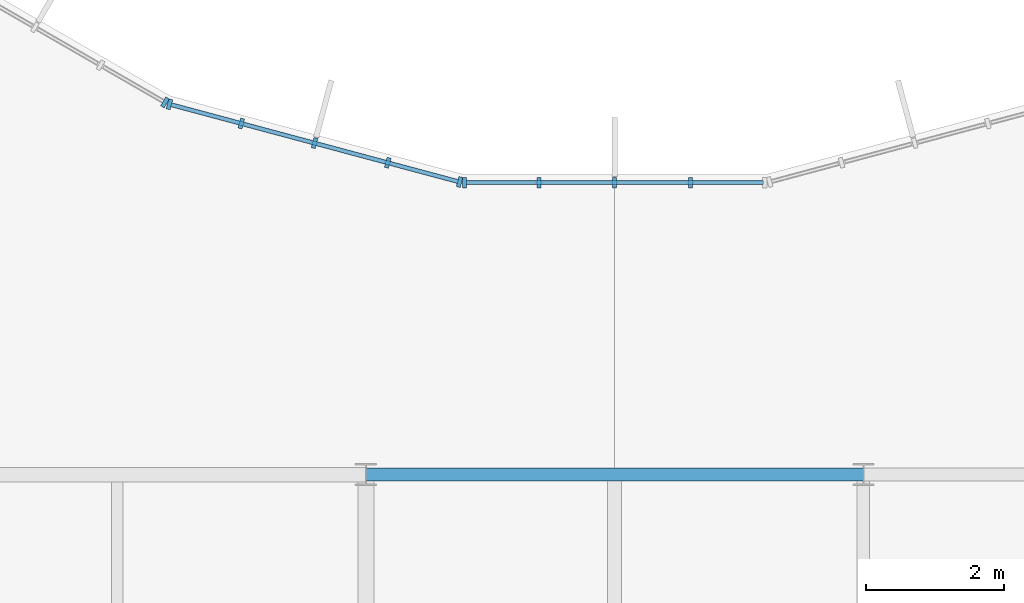
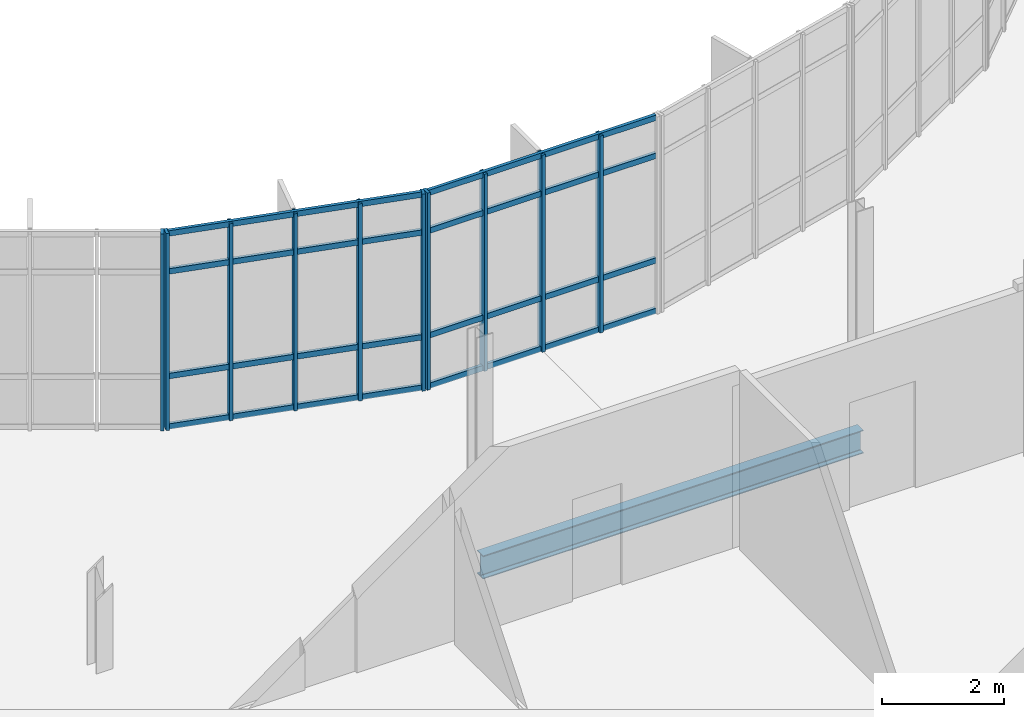
# One storey, part 35 of 99: 18 members, 1 beam, 3 elements without a shape of their own.
"""IFC4 building model written with IfcOpenShell, lengths in metres."""

from ifc_helpers import new_model, si_unit, direction, frame, origin, origin_2d, place, context, subcontext, project, spatial, rectangle, i_section, extrude, material, material_profile, profile_set, type_object, element, aggregate, save


model = new_model("IFC4")

# Units and contexts
model_context = context("Model", 3, precision=1e-05, world=origin(), true_north=direction((0.0, 1.0)))
body_context = subcontext(model_context, "Body", "Model", "MODEL_VIEW")
ifc_project = project(units=[si_unit("LENGTHUNIT", "METRE"), si_unit("AREAUNIT", "SQUARE_METRE"), si_unit("VOLUMEUNIT", "CUBIC_METRE"), si_unit("PLANEANGLEUNIT", "RADIAN"), si_unit("MASSUNIT", "GRAM", prefix="KILO")], contexts=[model_context])

# Site, building, storey
site_placement = place(None, origin())
site = spatial("IfcSite", under=ifc_project, at=site_placement, CompositionType="ELEMENT")
building_placement = place(site_placement, origin())
building = spatial("IfcBuilding", under=site, at=building_placement, Name="Qelthora Terrace Specialist Clinic", CompositionType="ELEMENT")
storey_placement = place(building_placement, frame((0.0, 0.0, 9.0)))
storey = spatial("IfcBuildingStorey", under=building, at=storey_placement, Name="L02", CompositionType="ELEMENT", Elevation=9.0)

# Beam
ifc_material_1 = material(Name="Steel S355", Category="steel")
ifc_material_profile_1 = material_profile(ifc_material_1, i_section(OverallWidth=0.193115234375, OverallDepth=0.466064453125, WebThickness=0.011474609375, FlangeThickness=0.01904296875, FilletRadius=0.012939453125, at=origin_2d()), Name="W460X97")
ifc_profile_set_1 = profile_set([ifc_material_profile_1], Name="Steel S355")
beam_type = type_object("IfcBeamType", Name="BM-W460X97", PredefinedType="BEAM", material=ifc_profile_set_1)
beam_placement = place(storey_placement, frame((122.39990234375, 42.0, -0.48291015625), z_axis=(1.0, 0.0, 0.0), x_axis=(0.0, 1.0, 0.0)))
element("IfcBeam", 1, at=beam_placement, inside=storey, type_object=beam_type, Name="Girder BMX-L02-0623", PredefinedType="BEAM", context=body_context, shape_type="SweptSolid", body=[
    extrude(i_section(OverallWidth=0.193115234375, OverallDepth=0.466064453125, WebThickness=0.011474609375, FlangeThickness=0.01904296875, FilletRadius=0.012939453125, at=origin_2d()), origin(), (0.0, 0.0, 1.0), 7.2001953125),
])

# Curtain wall, member
ifc_material_2 = material(Name="Aluminium anodized bronze", Category="aluminium")
curtain_wall_type = type_object("IfcCurtainWallType", Name="CW-CRTE-UPP", PredefinedType="NOTDEFINED", material=ifc_material_2)
curtain_wall_1_placement = place(storey_placement, origin())
curtain_wall_1 = element("IfcCurtainWall", 2, at=curtain_wall_1_placement, inside=storey, type_object=curtain_wall_type, Name="Curtain wall CW-CE-L02-16", PredefinedType="NOTDEFINED")
ifc_material_profile_2 = material_profile(ifc_material_2, rectangle(XDim=0.06005859375, YDim=0.14990234375, at=origin_2d()), Name="CWM60X150")
ifc_profile_set_2 = profile_set([ifc_material_profile_2], Name="Aluminium anodized bronze")
member_type_1 = type_object("IfcMemberType", Name="CWM-60X150", PredefinedType="MULLION", material=ifc_profile_set_2)
member_1_placement = place(storey_placement, frame((119.49365234375, 47.385009765625, 0.0), z_axis=(0.0, 0.0, 1.0), x_axis=(0.86602538709, -0.500000028915, 0.0)))
member_1 = element("IfcMember", 3, at=member_1_placement, type_object=member_type_1, Name="CW-CE-L02-16 mullion 5", PredefinedType="MULLION", context=body_context, shape_type="SweptSolid", body=[
    extrude(rectangle(XDim=0.06005859375, YDim=0.14990234375, at=origin_2d()), origin(), (0.0, 0.0, 1.0), 3.945068359375),
])
aggregate(curtain_wall_1, [member_1])

# Curtain wall, members
curtain_wall_2_placement = place(storey_placement, origin())
curtain_wall_2 = element("IfcCurtainWall", 4, at=curtain_wall_2_placement, inside=storey, type_object=curtain_wall_type, Name="Curtain wall CW-CE-L02-17", PredefinedType="NOTDEFINED")
member_2_placement = place(storey_placement, frame((119.55908203125, 47.357666015625, 0.0), z_axis=(0.0, 0.0, 1.0), x_axis=(0.965925660235, -0.258819664824, 0.0)))
member_2 = element("IfcMember", 5, at=member_2_placement, type_object=member_type_1, Name="CW-CE-L02-17 mullion 1", PredefinedType="MULLION", context=body_context, shape_type="SweptSolid", body=[
    extrude(rectangle(XDim=0.06005859375, YDim=0.14990234375, at=origin_2d()), origin(), (0.0, 0.0, 1.0), 3.945068359375),
])
member_3_placement = place(storey_placement, frame((120.598876953125, 47.0791015625, 0.0), z_axis=(0.0, 0.0, 1.0), x_axis=(0.965925660235, -0.258819664824, 0.0)))
member_3 = element("IfcMember", 6, at=member_3_placement, type_object=member_type_1, Name="CW-CE-L02-17 mullion 2", PredefinedType="MULLION", context=body_context, shape_type="SweptSolid", body=[
    extrude(rectangle(XDim=0.06005859375, YDim=0.14990234375, at=origin_2d()), origin(), (0.0, 0.0, 1.0), 3.945068359375),
])
member_4_placement = place(storey_placement, frame((121.657958984375, 46.79541015625, 0.0), z_axis=(0.0, 0.0, 1.0), x_axis=(0.965925660235, -0.258819664824, 0.0)))
member_4 = element("IfcMember", 7, at=member_4_placement, type_object=member_type_1, Name="CW-CE-L02-17 mullion 3", PredefinedType="MULLION", context=body_context, shape_type="SweptSolid", body=[
    extrude(rectangle(XDim=0.06005859375, YDim=0.14990234375, at=origin_2d()), origin(), (0.0, 0.0, 1.0), 3.945068359375),
])
member_5_placement = place(storey_placement, frame((122.717041015625, 46.511474609375, 0.0), z_axis=(0.0, 0.0, 1.0), x_axis=(0.965925660235, -0.258819664824, 0.0)))
member_5 = element("IfcMember", 8, at=member_5_placement, type_object=member_type_1, Name="CW-CE-L02-17 mullion 4", PredefinedType="MULLION", context=body_context, shape_type="SweptSolid", body=[
    extrude(rectangle(XDim=0.06005859375, YDim=0.14990234375, at=origin_2d()), origin(), (0.0, 0.0, 1.0), 3.945068359375),
])
member_6_placement = place(storey_placement, frame((123.7568359375, 46.23291015625, 0.0), z_axis=(0.0, 0.0, 1.0), x_axis=(0.965925660235, -0.258819664824, 0.0)))
member_6 = element("IfcMember", 9, at=member_6_placement, type_object=member_type_1, Name="CW-CE-L02-17 mullion 5", PredefinedType="MULLION", context=body_context, shape_type="SweptSolid", body=[
    extrude(rectangle(XDim=0.06005859375, YDim=0.14990234375, at=origin_2d()), origin(), (0.0, 0.0, 1.0), 3.945068359375),
])

curtain_wall_3_placement = place(storey_placement, origin())
curtain_wall_3 = element("IfcCurtainWall", 10, at=curtain_wall_3_placement, inside=storey, type_object=curtain_wall_type, Name="Curtain wall CW-CE-L02-18", PredefinedType="NOTDEFINED")
member_7_placement = place(storey_placement, frame((123.8271484375, 46.2236328125, 0.0), z_axis=(0.0, 0.0, 1.0), x_axis=(1.0, 0.0, 0.0)))
member_7 = element("IfcMember", 11, at=member_7_placement, type_object=member_type_1, Name="CW-CE-L02-18 mullion 1", PredefinedType="MULLION", context=body_context, shape_type="SweptSolid", body=[
    extrude(rectangle(XDim=0.06005859375, YDim=0.14990234375, at=origin_2d()), origin(), (0.0, 0.0, 1.0), 3.945068359375),
])
member_8_placement = place(storey_placement, frame((124.903564453125, 46.2236328125, 0.0), z_axis=(0.0, 0.0, 1.0), x_axis=(1.0, 0.0, 0.0)))
member_8 = element("IfcMember", 12, at=member_8_placement, type_object=member_type_1, Name="CW-CE-L02-18 mullion 2", PredefinedType="MULLION", context=body_context, shape_type="SweptSolid", body=[
    extrude(rectangle(XDim=0.06005859375, YDim=0.14990234375, at=origin_2d()), origin(), (0.0, 0.0, 1.0), 3.945068359375),
])
member_9_placement = place(storey_placement, frame((126.0, 46.2236328125, 0.0), z_axis=(0.0, 0.0, 1.0), x_axis=(1.0, 0.0, 0.0)))
member_9 = element("IfcMember", 13, at=member_9_placement, type_object=member_type_1, Name="CW-CE-L02-18 mullion 3", PredefinedType="MULLION", context=body_context, shape_type="SweptSolid", body=[
    extrude(rectangle(XDim=0.06005859375, YDim=0.14990234375, at=origin_2d()), origin(), (0.0, 0.0, 1.0), 3.945068359375),
])
member_10_placement = place(storey_placement, frame((127.096435546875, 46.2236328125, 0.0), z_axis=(0.0, 0.0, 1.0), x_axis=(1.0, 0.0, 0.0)))
member_10 = element("IfcMember", 14, at=member_10_placement, type_object=member_type_1, Name="CW-CE-L02-18 mullion 4", PredefinedType="MULLION", context=body_context, shape_type="SweptSolid", body=[
    extrude(rectangle(XDim=0.06005859375, YDim=0.14990234375, at=origin_2d()), origin(), (0.0, 0.0, 1.0), 3.945068359375),
])

# Member
ifc_material_profile_3 = material_profile(ifc_material_2, rectangle(XDim=0.06005859375, YDim=0.110107421875, at=origin_2d()), Name="CWT60X110")
ifc_profile_set_3 = profile_set([ifc_material_profile_3], Name="Aluminium anodized bronze")
member_type_2 = type_object("IfcMemberType", Name="CWT-60X110", PredefinedType="USERDEFINED", material=ifc_profile_set_3)
member_11_placement = place(storey_placement, frame((119.57861328125, 47.3525390625, 0.0400390625), z_axis=(0.965933119212, -0.25879182601, 0.0), x_axis=(0.25879182601, 0.965933119212, 0.0)))
member_11 = element("IfcMember", 15, at=member_11_placement, type_object=member_type_2, Name="CW-CE-L02-17 transom 1", ObjectType="TRANSOM", PredefinedType="USERDEFINED", context=body_context, shape_type="SweptSolid", body=[
    extrude(rectangle(XDim=0.06005859375, YDim=0.110107421875, at=origin_2d()), origin(), (0.0, 0.0, 1.0), 4.3056640625),
])

member_12_placement = place(storey_placement, frame((119.57861328125, 47.3525390625, 1.050048828125), z_axis=(0.965933119212, -0.25879182601, 0.0), x_axis=(0.25879182601, 0.965933119212, 0.0)))
member_12 = element("IfcMember", 16, at=member_12_placement, type_object=member_type_2, Name="CW-CE-L02-17 transom 2", ObjectType="TRANSOM", PredefinedType="USERDEFINED", context=body_context, shape_type="SweptSolid", body=[
    extrude(rectangle(XDim=0.06005859375, YDim=0.110107421875, at=origin_2d()), origin(), (0.0, 0.0, 1.0), 4.3056640625),
])

member_13_placement = place(storey_placement, frame((119.57861328125, 47.3525390625, 3.14501953125), z_axis=(0.965933119212, -0.25879182601, 0.0), x_axis=(0.25879182601, 0.965933119212, 0.0)))
member_13 = element("IfcMember", 17, at=member_13_placement, type_object=member_type_2, Name="CW-CE-L02-17 transom 3", ObjectType="TRANSOM", PredefinedType="USERDEFINED", context=body_context, shape_type="SweptSolid", body=[
    extrude(rectangle(XDim=0.06005859375, YDim=0.110107421875, at=origin_2d()), origin(), (0.0, 0.0, 1.0), 4.3056640625),
])

member_14_placement = place(storey_placement, frame((119.57861328125, 47.3525390625, 3.905029296875), z_axis=(0.965933119212, -0.25879182601, 0.0), x_axis=(0.25879182601, 0.965933119212, 0.0)))
member_14 = element("IfcMember", 18, at=member_14_placement, type_object=member_type_2, Name="CW-CE-L02-17 transom 4", ObjectType="TRANSOM", PredefinedType="USERDEFINED", context=body_context, shape_type="SweptSolid", body=[
    extrude(rectangle(XDim=0.06005859375, YDim=0.110107421875, at=origin_2d()), origin(), (0.0, 0.0, 1.0), 4.3056640625),
])

aggregate(curtain_wall_2, [member_2, member_3, member_4, member_5, member_6, member_11, member_12, member_13, member_14])

member_15_placement = place(storey_placement, frame((123.84716796875, 46.2236328125, 0.0400390625), z_axis=(1.0, 0.0, 0.0), x_axis=(0.0, 1.0, 0.0)))
member_15 = element("IfcMember", 19, at=member_15_placement, type_object=member_type_2, Name="CW-CE-L02-18 transom 1", ObjectType="TRANSOM", PredefinedType="USERDEFINED", context=body_context, shape_type="SweptSolid", body=[
    extrude(rectangle(XDim=0.06005859375, YDim=0.110107421875, at=origin_2d()), origin(), (0.0, 0.0, 1.0), 4.3056640625),
])

member_16_placement = place(storey_placement, frame((123.84716796875, 46.2236328125, 1.050048828125), z_axis=(1.0, 0.0, 0.0), x_axis=(0.0, 1.0, 0.0)))
member_16 = element("IfcMember", 20, at=member_16_placement, type_object=member_type_2, Name="CW-CE-L02-18 transom 2", ObjectType="TRANSOM", PredefinedType="USERDEFINED", context=body_context, shape_type="SweptSolid", body=[
    extrude(rectangle(XDim=0.06005859375, YDim=0.110107421875, at=origin_2d()), origin(), (0.0, 0.0, 1.0), 4.3056640625),
])

member_17_placement = place(storey_placement, frame((123.84716796875, 46.2236328125, 3.14501953125), z_axis=(1.0, 0.0, 0.0), x_axis=(0.0, 1.0, 0.0)))
member_17 = element("IfcMember", 21, at=member_17_placement, type_object=member_type_2, Name="CW-CE-L02-18 transom 3", ObjectType="TRANSOM", PredefinedType="USERDEFINED", context=body_context, shape_type="SweptSolid", body=[
    extrude(rectangle(XDim=0.06005859375, YDim=0.110107421875, at=origin_2d()), origin(), (0.0, 0.0, 1.0), 4.3056640625),
])

member_18_placement = place(storey_placement, frame((123.84716796875, 46.2236328125, 3.905029296875), z_axis=(1.0, 0.0, 0.0), x_axis=(0.0, 1.0, 0.0)))
member_18 = element("IfcMember", 22, at=member_18_placement, type_object=member_type_2, Name="CW-CE-L02-18 transom 4", ObjectType="TRANSOM", PredefinedType="USERDEFINED", context=body_context, shape_type="SweptSolid", body=[
    extrude(rectangle(XDim=0.06005859375, YDim=0.110107421875, at=origin_2d()), origin(), (0.0, 0.0, 1.0), 4.3056640625),
])

aggregate(curtain_wall_3, [member_7, member_8, member_9, member_10, member_15, member_16, member_17, member_18])

save(model, "model.ifc")
